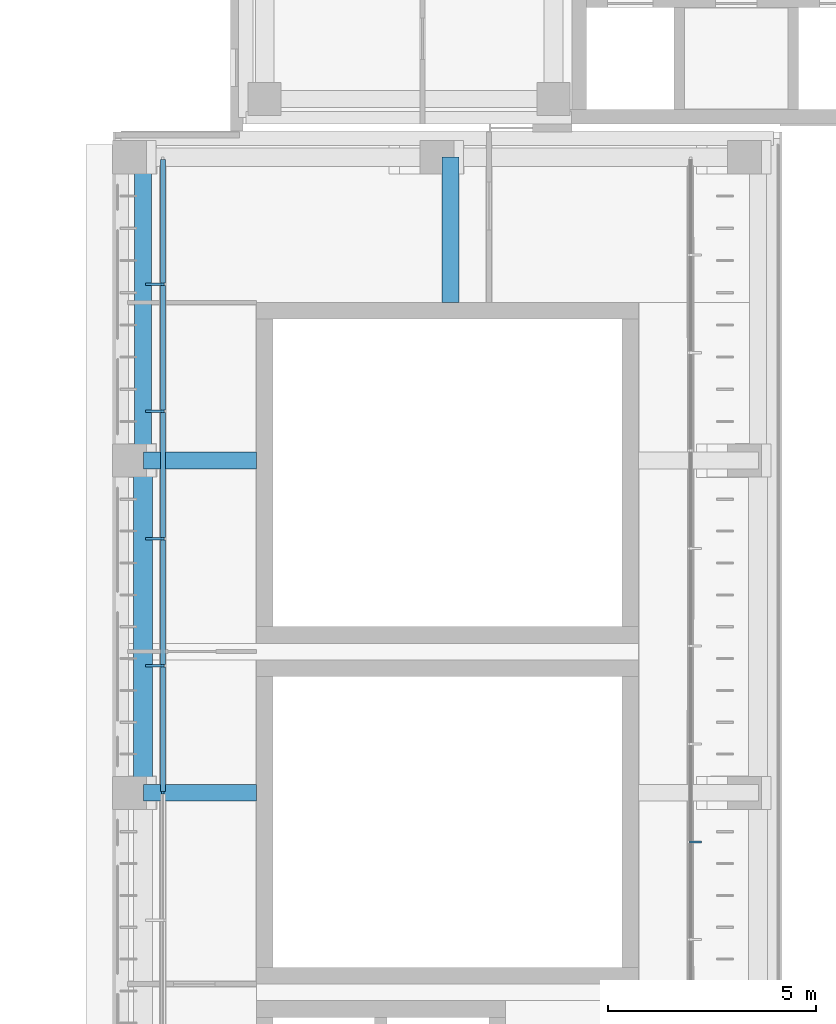
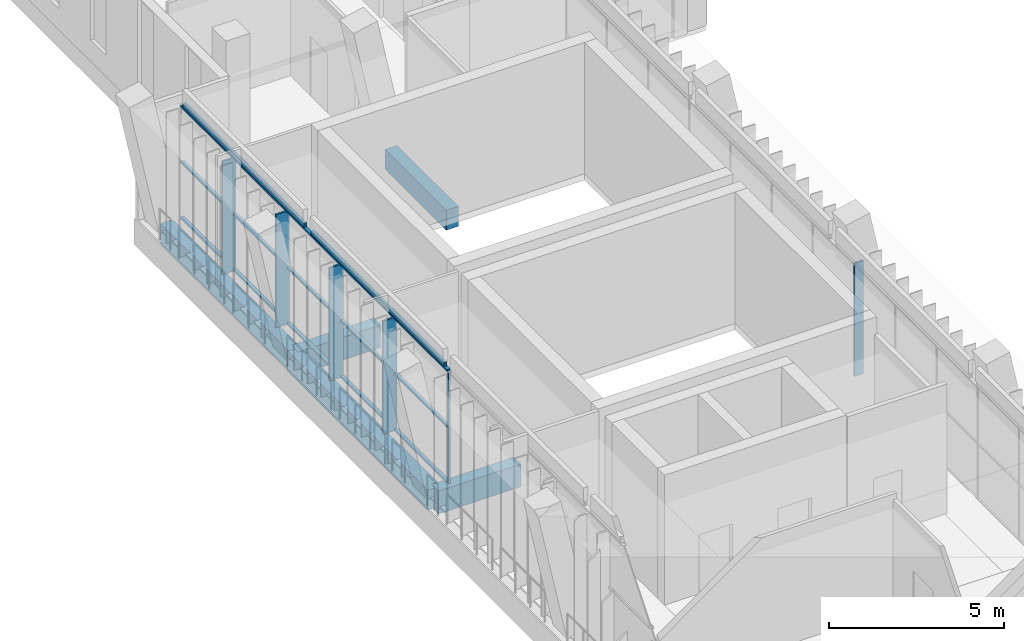
# One storey, part 26 of 89: 21 members, 7 beams, 2 elements without a shape of their own.
"""IFC4 building model written with IfcOpenShell, lengths in metres."""

from ifc_helpers import new_model, si_unit, direction, frame, origin, origin_2d, place, context, subcontext, project, spatial, rectangle, hollow_rectangle, extrude, material, material_profile, profile_set, type_object, element, aggregate, save


model = new_model("IFC4")

# Units and contexts
model_context = context("Model", 3, precision=1e-05, world=origin(), true_north=direction((0.0, 1.0)))
body_context = subcontext(model_context, "Body", "Model", "MODEL_VIEW")
ifc_project = project(units=[si_unit("LENGTHUNIT", "METRE"), si_unit("AREAUNIT", "SQUARE_METRE"), si_unit("VOLUMEUNIT", "CUBIC_METRE"), si_unit("PLANEANGLEUNIT", "RADIAN"), si_unit("MASSUNIT", "GRAM", prefix="KILO")], contexts=[model_context])

# Site, building, storey
site_placement = place(None, origin())
site = spatial("IfcSite", under=ifc_project, at=site_placement, CompositionType="ELEMENT")
building_placement = place(site_placement, origin())
building = spatial("IfcBuilding", under=site, at=building_placement, Name="Lantern Court Media Centre", CompositionType="ELEMENT")
storey_placement = place(building_placement, frame((0.0, 0.0, 14.39990234375)))
storey = spatial("IfcBuildingStorey", under=building, at=storey_placement, Name="L03", CompositionType="ELEMENT", Elevation=14.39990234375)

# Curtain wall, member
ifc_material_1 = material(Name="Curtain wall bay 2400")
curtain_wall_type_1 = type_object("IfcCurtainWallType", Name="Curtain wall bay 2400", PredefinedType="NOTDEFINED", material=ifc_material_1)
curtain_wall_1_placement = place(storey_placement, origin())
curtain_wall_1 = element("IfcCurtainWall", 1, at=curtain_wall_1_placement, inside=storey, type_object=curtain_wall_type_1, Name="Curtain wall W inner L03", PredefinedType="NOTDEFINED")
ifc_material_2 = material(Name="Anodised aluminium", Category="aluminium")
ifc_material_profile_1 = material_profile(ifc_material_2, rectangle(XDim=0.300048828125, YDim=0.050048828125, at=origin_2d()), Name="AL 50x300")
ifc_profile_set_1 = profile_set([ifc_material_profile_1], Name="Anodised aluminium")
member_type_1 = type_object("IfcMemberType", Name="Curtain wall mullion 50x300", PredefinedType="MULLION", material=ifc_profile_set_1)
member_1_placement = place(storey_placement, frame((18.969970703125, 78.822998046875, 0.0), z_axis=(0.0, 0.0, 1.0), x_axis=(-1.0, 0.0, 0.0)))
member_1 = element("IfcMember", 2, at=member_1_placement, type_object=member_type_1, Name="CW2 mullion 7", PredefinedType="MULLION", context=body_context, shape_type="SweptSolid", body=[
    extrude(rectangle(XDim=0.300048828125, YDim=0.050048828125, at=origin_2d()), origin(), (0.0, 0.0, 1.0), 3.9501953125),
])
aggregate(curtain_wall_1, [member_1])

# Curtain wall, members
ifc_material_3 = material(Name="Curtain wall bay 3000")
curtain_wall_type_2 = type_object("IfcCurtainWallType", Name="Curtain wall bay 3000", PredefinedType="NOTDEFINED", material=ifc_material_3)
curtain_wall_2_placement = place(storey_placement, origin())
curtain_wall_2 = element("IfcCurtainWall", 3, at=curtain_wall_2_placement, inside=storey, type_object=curtain_wall_type_2, Name="Curtain wall W outer L03", PredefinedType="NOTDEFINED")
ifc_material_profile_2 = material_profile(ifc_material_2, rectangle(XDim=0.449951171875, YDim=0.06005859375, at=origin_2d()), Name="AL 60x450")
ifc_profile_set_2 = profile_set([ifc_material_profile_2], Name="Anodised aluminium")
member_type_2 = type_object("IfcMemberType", Name="Curtain wall mullion 60x450", PredefinedType="MULLION", material=ifc_profile_set_2)
member_2_placement = place(storey_placement, frame((5.955078125, 83.06005859375, 0.0), z_axis=(0.0, 0.0, 1.0), x_axis=(-1.0, 0.0, 0.0)))
member_2 = element("IfcMember", 4, at=member_2_placement, type_object=member_type_2, Name="CW1 mullion 7", PredefinedType="MULLION", context=body_context, shape_type="SweptSolid", body=[
    extrude(rectangle(XDim=0.449951171875, YDim=0.06005859375, at=origin_2d()), origin(), (0.0, 0.0, 1.0), 3.9501953125),
])
member_3_placement = place(storey_placement, frame((5.955078125, 86.1201171875, 0.0), z_axis=(0.0, 0.0, 1.0), x_axis=(-1.0, 0.0, 0.0)))
member_3 = element("IfcMember", 5, at=member_3_placement, type_object=member_type_2, Name="CW1 mullion 8", PredefinedType="MULLION", context=body_context, shape_type="SweptSolid", body=[
    extrude(rectangle(XDim=0.449951171875, YDim=0.06005859375, at=origin_2d()), origin(), (0.0, 0.0, 1.0), 3.9501953125),
])
member_4_placement = place(storey_placement, frame((5.955078125, 89.179931640625, 0.0), z_axis=(0.0, 0.0, 1.0), x_axis=(-1.0, 0.0, 0.0)))
member_4 = element("IfcMember", 6, at=member_4_placement, type_object=member_type_2, Name="CW1 mullion 9", PredefinedType="MULLION", context=body_context, shape_type="SweptSolid", body=[
    extrude(rectangle(XDim=0.449951171875, YDim=0.06005859375, at=origin_2d()), origin(), (0.0, 0.0, 1.0), 3.9501953125),
])
member_5_placement = place(storey_placement, frame((5.955078125, 92.239990234375, 0.0), z_axis=(0.0, 0.0, 1.0), x_axis=(-1.0, 0.0, 0.0)))
member_5 = element("IfcMember", 7, at=member_5_placement, type_object=member_type_2, Name="CW1 mullion 10", PredefinedType="MULLION", context=body_context, shape_type="SweptSolid", body=[
    extrude(rectangle(XDim=0.449951171875, YDim=0.06005859375, at=origin_2d()), origin(), (0.0, 0.0, 1.0), 3.9501953125),
])
ifc_material_profile_3 = material_profile(ifc_material_2, rectangle(XDim=0.06005859375, YDim=0.06005859375, at=origin_2d()), Name="AL 60x60")
ifc_profile_set_3 = profile_set([ifc_material_profile_3], Name="Anodised aluminium")
member_type_3 = type_object("IfcMemberType", Name="Curtain wall mullion 60x60", PredefinedType="MULLION", material=ifc_profile_set_3)
member_6_placement = place(storey_placement, frame((6.14990234375, 80.0, 0.0), z_axis=(0.0, 0.0, 1.0), x_axis=(-1.0, 0.0, 0.0)))
member_6 = element("IfcMember", 8, at=member_6_placement, type_object=member_type_3, Name="CW1 mullion 6", PredefinedType="MULLION", context=body_context, shape_type="SweptSolid", body=[
    extrude(rectangle(XDim=0.06005859375, YDim=0.06005859375, at=origin_2d()), origin(), (0.0, 0.0, 1.0), 3.9501953125),
])
ifc_material_profile_4 = material_profile(ifc_material_2, rectangle(XDim=0.1201171875, YDim=0.06005859375, at=origin_2d()), Name="AL 60x120")
ifc_profile_set_4 = profile_set([ifc_material_profile_4], Name="Anodised aluminium")
member_type_4 = type_object("IfcMemberType", Name="Curtain wall transom 60x120", PredefinedType="USERDEFINED", material=ifc_profile_set_4)
member_7_placement = place(storey_placement, frame((6.14990234375, 80.030029296875, 0.030029296875), z_axis=(0.0, 1.0, 0.0), x_axis=(-1.0, 0.0, 0.0)))
member_7 = element("IfcMember", 9, at=member_7_placement, type_object=member_type_4, Name="CW1 transom 6.1", ObjectType="TRANSOM", PredefinedType="USERDEFINED", context=body_context, shape_type="SweptSolid", body=[
    extrude(rectangle(XDim=0.1201171875, YDim=0.06005859375, at=origin_2d()), origin(), (0.0, 0.0, 1.0), 3.0),
])
member_8_placement = place(storey_placement, frame((6.14990234375, 80.030029296875, 1.97509765625), z_axis=(0.0, 1.0, 0.0), x_axis=(-1.0, 0.0, 0.0)))
member_8 = element("IfcMember", 10, at=member_8_placement, type_object=member_type_4, Name="CW1 transom 6.2", ObjectType="TRANSOM", PredefinedType="USERDEFINED", context=body_context, shape_type="SweptSolid", body=[
    extrude(rectangle(XDim=0.1201171875, YDim=0.06005859375, at=origin_2d()), origin(), (0.0, 0.0, 1.0), 3.0),
])
member_9_placement = place(storey_placement, frame((6.14990234375, 80.030029296875, 3.920166015625), z_axis=(0.0, 1.0, 0.0), x_axis=(-1.0, 0.0, 0.0)))
member_9 = element("IfcMember", 11, at=member_9_placement, type_object=member_type_4, Name="CW1 transom 6.3", ObjectType="TRANSOM", PredefinedType="USERDEFINED", context=body_context, shape_type="SweptSolid", body=[
    extrude(rectangle(XDim=0.1201171875, YDim=0.06005859375, at=origin_2d()), origin(), (0.0, 0.0, 1.0), 3.0),
])
member_10_placement = place(storey_placement, frame((6.14990234375, 83.090087890625, 0.030029296875), z_axis=(0.0, 1.0, 0.0), x_axis=(-1.0, 0.0, 0.0)))
member_10 = element("IfcMember", 12, at=member_10_placement, type_object=member_type_4, Name="CW1 transom 7.1", ObjectType="TRANSOM", PredefinedType="USERDEFINED", context=body_context, shape_type="SweptSolid", body=[
    extrude(rectangle(XDim=0.1201171875, YDim=0.06005859375, at=origin_2d()), origin(), (0.0, 0.0, 1.0), 3.0),
])
member_11_placement = place(storey_placement, frame((6.14990234375, 83.090087890625, 1.97509765625), z_axis=(0.0, 1.0, 0.0), x_axis=(-1.0, 0.0, 0.0)))
member_11 = element("IfcMember", 13, at=member_11_placement, type_object=member_type_4, Name="CW1 transom 7.2", ObjectType="TRANSOM", PredefinedType="USERDEFINED", context=body_context, shape_type="SweptSolid", body=[
    extrude(rectangle(XDim=0.1201171875, YDim=0.06005859375, at=origin_2d()), origin(), (0.0, 0.0, 1.0), 3.0),
])
member_12_placement = place(storey_placement, frame((6.14990234375, 83.090087890625, 3.920166015625), z_axis=(0.0, 1.0, 0.0), x_axis=(-1.0, 0.0, 0.0)))
member_12 = element("IfcMember", 14, at=member_12_placement, type_object=member_type_4, Name="CW1 transom 7.3", ObjectType="TRANSOM", PredefinedType="USERDEFINED", context=body_context, shape_type="SweptSolid", body=[
    extrude(rectangle(XDim=0.1201171875, YDim=0.06005859375, at=origin_2d()), origin(), (0.0, 0.0, 1.0), 3.0),
])
member_13_placement = place(storey_placement, frame((6.14990234375, 86.14990234375, 0.030029296875), z_axis=(0.0, 1.0, 0.0), x_axis=(-1.0, 0.0, 0.0)))
member_13 = element("IfcMember", 15, at=member_13_placement, type_object=member_type_4, Name="CW1 transom 8.1", ObjectType="TRANSOM", PredefinedType="USERDEFINED", context=body_context, shape_type="SweptSolid", body=[
    extrude(rectangle(XDim=0.1201171875, YDim=0.06005859375, at=origin_2d()), origin(), (0.0, 0.0, 1.0), 3.0),
])
member_14_placement = place(storey_placement, frame((6.14990234375, 86.14990234375, 1.97509765625), z_axis=(0.0, 1.0, 0.0), x_axis=(-1.0, 0.0, 0.0)))
member_14 = element("IfcMember", 16, at=member_14_placement, type_object=member_type_4, Name="CW1 transom 8.2", ObjectType="TRANSOM", PredefinedType="USERDEFINED", context=body_context, shape_type="SweptSolid", body=[
    extrude(rectangle(XDim=0.1201171875, YDim=0.06005859375, at=origin_2d()), origin(), (0.0, 0.0, 1.0), 3.0),
])
member_15_placement = place(storey_placement, frame((6.14990234375, 86.14990234375, 3.920166015625), z_axis=(0.0, 1.0, 0.0), x_axis=(-1.0, 0.0, 0.0)))
member_15 = element("IfcMember", 17, at=member_15_placement, type_object=member_type_4, Name="CW1 transom 8.3", ObjectType="TRANSOM", PredefinedType="USERDEFINED", context=body_context, shape_type="SweptSolid", body=[
    extrude(rectangle(XDim=0.1201171875, YDim=0.06005859375, at=origin_2d()), origin(), (0.0, 0.0, 1.0), 3.0),
])
member_16_placement = place(storey_placement, frame((6.14990234375, 89.2099609375, 0.030029296875), z_axis=(0.0, 1.0, 0.0), x_axis=(-1.0, 0.0, 0.0)))
member_16 = element("IfcMember", 18, at=member_16_placement, type_object=member_type_4, Name="CW1 transom 9.1", ObjectType="TRANSOM", PredefinedType="USERDEFINED", context=body_context, shape_type="SweptSolid", body=[
    extrude(rectangle(XDim=0.1201171875, YDim=0.06005859375, at=origin_2d()), origin(), (0.0, 0.0, 1.0), 3.0),
])
member_17_placement = place(storey_placement, frame((6.14990234375, 89.2099609375, 1.97509765625), z_axis=(0.0, 1.0, 0.0), x_axis=(-1.0, 0.0, 0.0)))
member_17 = element("IfcMember", 19, at=member_17_placement, type_object=member_type_4, Name="CW1 transom 9.2", ObjectType="TRANSOM", PredefinedType="USERDEFINED", context=body_context, shape_type="SweptSolid", body=[
    extrude(rectangle(XDim=0.1201171875, YDim=0.06005859375, at=origin_2d()), origin(), (0.0, 0.0, 1.0), 3.0),
])
member_18_placement = place(storey_placement, frame((6.14990234375, 89.2099609375, 3.920166015625), z_axis=(0.0, 1.0, 0.0), x_axis=(-1.0, 0.0, 0.0)))
member_18 = element("IfcMember", 20, at=member_18_placement, type_object=member_type_4, Name="CW1 transom 9.3", ObjectType="TRANSOM", PredefinedType="USERDEFINED", context=body_context, shape_type="SweptSolid", body=[
    extrude(rectangle(XDim=0.1201171875, YDim=0.06005859375, at=origin_2d()), origin(), (0.0, 0.0, 1.0), 3.0),
])
member_19_placement = place(storey_placement, frame((6.14990234375, 92.27001953125, 0.030029296875), z_axis=(0.0, 1.0, 0.0), x_axis=(-1.0, 0.0, 0.0)))
member_19 = element("IfcMember", 21, at=member_19_placement, type_object=member_type_4, Name="CW1 transom 10.1", ObjectType="TRANSOM", PredefinedType="USERDEFINED", context=body_context, shape_type="SweptSolid", body=[
    extrude(rectangle(XDim=0.1201171875, YDim=0.06005859375, at=origin_2d()), origin(), (0.0, 0.0, 1.0), 2.969970703125),
])
member_20_placement = place(storey_placement, frame((6.14990234375, 92.27001953125, 1.97509765625), z_axis=(0.0, 1.0, 0.0), x_axis=(-1.0, 0.0, 0.0)))
member_20 = element("IfcMember", 22, at=member_20_placement, type_object=member_type_4, Name="CW1 transom 10.2", ObjectType="TRANSOM", PredefinedType="USERDEFINED", context=body_context, shape_type="SweptSolid", body=[
    extrude(rectangle(XDim=0.1201171875, YDim=0.06005859375, at=origin_2d()), origin(), (0.0, 0.0, 1.0), 2.969970703125),
])
member_21_placement = place(storey_placement, frame((6.14990234375, 92.27001953125, 3.920166015625), z_axis=(0.0, 1.0, 0.0), x_axis=(-1.0, 0.0, 0.0)))
member_21 = element("IfcMember", 23, at=member_21_placement, type_object=member_type_4, Name="CW1 transom 10.3", ObjectType="TRANSOM", PredefinedType="USERDEFINED", context=body_context, shape_type="SweptSolid", body=[
    extrude(rectangle(XDim=0.1201171875, YDim=0.06005859375, at=origin_2d()), origin(), (0.0, 0.0, 1.0), 2.969970703125),
])
aggregate(curtain_wall_2, [member_6, member_2, member_3, member_4, member_5, member_7, member_8, member_9, member_10, member_11, member_12, member_13, member_14, member_15, member_16, member_17, member_18, member_19, member_20, member_21])

# Beams
ifc_material_4 = material(Name="Steel S355J2 (EN 10025-2)", Category="steel")
ifc_material_profile_5 = material_profile(ifc_material_4, hollow_rectangle(XDim=0.10009765625, YDim=0.14990234375, WallThickness=0.00634765625, InnerFilletRadius=0.00634765625, OuterFilletRadius=0.009521484375, at=origin_2d()), Name="Facade head lintel RHS 150x100x6.3")
ifc_profile_set_5 = profile_set([ifc_material_profile_5], Name="Steel S355J2 (EN 10025-2)")
beam_type_1 = type_object("IfcBeamType", Name="Facade head lintel RHS 150x100x6.3", PredefinedType="BEAM", material=ifc_profile_set_5)
beam_1_placement = place(storey_placement, frame((6.14990234375, 80.199951171875, 4.025146484375), z_axis=(0.0, 1.0, 0.0), x_axis=(-1.0, 0.0, 0.0)))
element("IfcBeam", 24, at=beam_1_placement, inside=storey, type_object=beam_type_1, Name="Facade head lintel W L03", PredefinedType="BEAM", context=body_context, shape_type="SweptSolid", body=[
    extrude(hollow_rectangle(XDim=0.10009765625, YDim=0.14990234375, WallThickness=0.00634765625, InnerFilletRadius=0.00634765625, OuterFilletRadius=0.009521484375, at=origin_2d()), origin(), (0.0, 0.0, 1.0), 7.60009765625),
])
beam_2_placement = place(storey_placement, frame((6.14990234375, 88.199951171875, 4.025146484375), z_axis=(0.0, 1.0, 0.0), x_axis=(-1.0, 0.0, 0.0)))
element("IfcBeam", 25, at=beam_2_placement, inside=storey, type_object=beam_type_1, Name="Facade head lintel W L03", PredefinedType="BEAM", context=body_context, shape_type="SweptSolid", body=[
    extrude(hollow_rectangle(XDim=0.10009765625, YDim=0.14990234375, WallThickness=0.00634765625, InnerFilletRadius=0.00634765625, OuterFilletRadius=0.009521484375, at=origin_2d()), origin(), (0.0, 0.0, 1.0), 6.900146484375),
])
ifc_material_5 = material(Name="Concrete C35", Category="concrete")
ifc_material_profile_6 = material_profile(ifc_material_5, rectangle(XDim=0.39990234375, YDim=0.699951171875, at=origin_2d()), Name="RC 400x700")
ifc_profile_set_6 = profile_set([ifc_material_profile_6], Name="Concrete C35")
beam_type_2 = type_object("IfcBeamType", Name="RC BEAM 400x700", PredefinedType="BEAM", material=ifc_profile_set_6)
beam_3_placement = place(storey_placement, frame((5.6728515625, 88.0, -0.349853515625), z_axis=(0.0, 1.0, 0.0), x_axis=(-1.0, 0.0, 0.0)))
element("IfcBeam", 26, at=beam_3_placement, inside=storey, type_object=beam_type_2, Name="LB-W-L03-0-3", PredefinedType="BEAM", context=body_context, shape_type="SweptSolid", body=[
    extrude(rectangle(XDim=0.39990234375, YDim=0.699951171875, at=origin_2d()), origin(), (0.0, 0.0, 1.0), 7.300048828125),
])
beam_4_placement = place(storey_placement, frame((13.072998046875, 91.800048828125, -0.349853515625), z_axis=(0.0, 1.0, 0.0), x_axis=(-1.0, 0.0, 0.0)))
element("IfcBeam", 27, at=beam_4_placement, inside=storey, type_object=beam_type_2, Name="LB-W-L03-1-01", PredefinedType="BEAM", context=body_context, shape_type="SweptSolid", body=[
    extrude(rectangle(XDim=0.39990234375, YDim=0.699951171875, at=origin_2d()), origin(), (0.0, 0.0, 1.0), 3.5),
])
ifc_material_profile_7 = material_profile(ifc_material_5, rectangle(XDim=0.39990234375, YDim=0.800048828125, at=origin_2d()), Name="RC 400x800")
ifc_profile_set_7 = profile_set([ifc_material_profile_7], Name="Concrete C35")
beam_type_3 = type_object("IfcBeamType", Name="RC BEAM 400x800", PredefinedType="BEAM", material=ifc_profile_set_7)
for number, where, z_axis, x_axis, name in (
    (28, (5.683349609375, 80.0, -0.39990234375), (1.0, 0.0, 0.0), (0.0, 1.0, 0.0), "TB-W-L03-2-1"),
    (29, (5.683349609375, 88.0, -0.39990234375), (1.0, 0.0, 0.0), (0.0, 1.0, 0.0), "TB-W-L03-3-1"),
):
    element("IfcBeam", number, at=place(storey_placement, frame(where, z_axis=z_axis, x_axis=x_axis)), inside=storey, type_object=beam_type_3, Name=name, PredefinedType="BEAM", context=body_context, shape_type="SweptSolid", body=[
        extrude(rectangle(XDim=0.39990234375, YDim=0.800048828125, at=origin_2d()), origin(), (0.0, 0.0, 1.0), 2.716552734375),
    ])
ifc_material_profile_8 = material_profile(ifc_material_5, rectangle(XDim=0.449951171875, YDim=0.699951171875, at=origin_2d()), Name="RC 450x700")
ifc_profile_set_8 = profile_set([ifc_material_profile_8], Name="Concrete C35")
beam_type_4 = type_object("IfcBeamType", Name="RC BEAM 450x700", PredefinedType="BEAM", material=ifc_profile_set_8)
beam_5_placement = place(storey_placement, frame((5.6728515625, 80.0, -0.349853515625), z_axis=(0.0, 1.0, 0.0), x_axis=(-1.0, 0.0, 0.0)))
element("IfcBeam", 30, at=beam_5_placement, inside=storey, type_object=beam_type_4, Name="LB-W-L03-0-2", PredefinedType="BEAM", context=body_context, shape_type="SweptSolid", body=[
    extrude(rectangle(XDim=0.449951171875, YDim=0.699951171875, at=origin_2d()), origin(), (0.0, 0.0, 1.0), 8.0),
])

save(model, "model.ifc")
